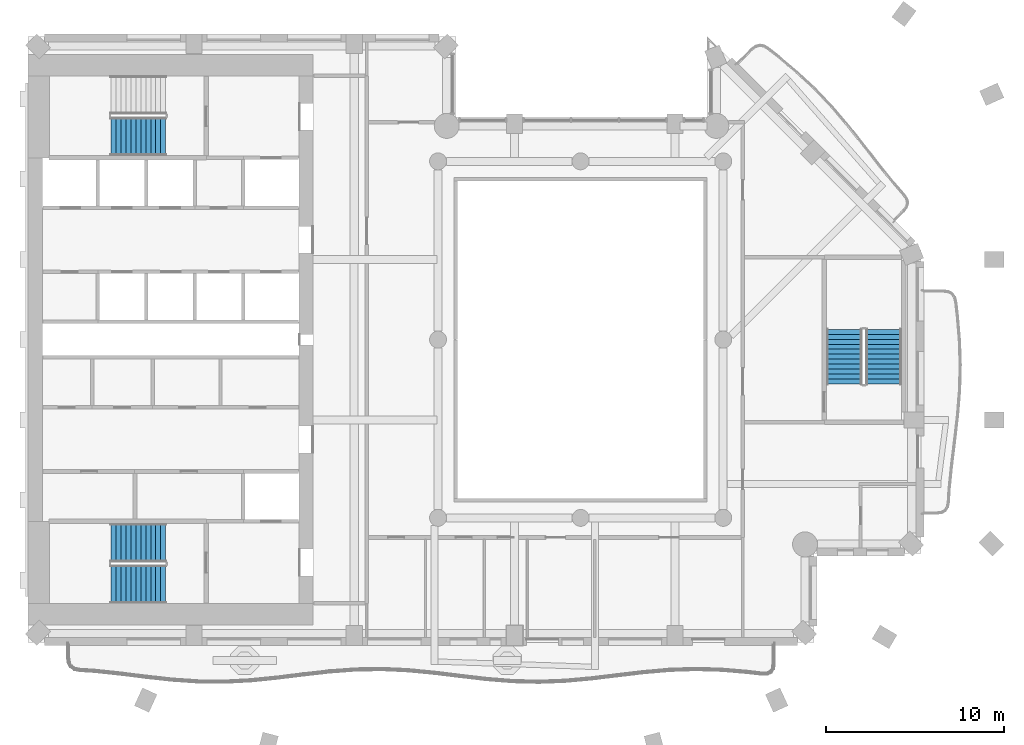
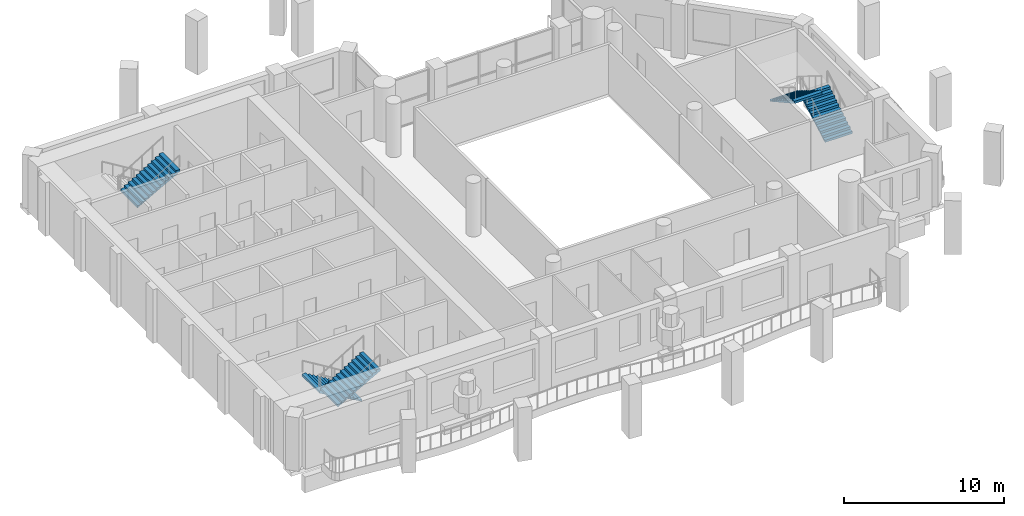
# One storey, part 7 of 14: 5 stair flights, 3 elements without a shape of their own.
"""IFC4 building model written with IfcOpenShell, lengths in metres."""

import ifcopenshell
import ifcopenshell.guid

model = None  # the IFC model being written
_history = None  # IfcOwnerHistory: only IFC2X3 demands one
_inside = {}  # id of a spatial element -> (the spatial element, [elements in it])
_under = {}  # id of a project, library or spatial element -> (it, [spatial elements below it])
_declared = {}  # id of a project -> (the project, [libraries it declares])
_typed = {}  # id of a type object -> (the type object, [elements of that type])
_made_of = {}  # id of a material, layer set ... -> (it, [elements and type objects made of it])


def new_model(schema):
    """Start an empty IFC model of exactly this schema.

    Asked for "IFC4X3", IfcOpenShell would pick the latest addendum, in which some entities
    have other attributes; the version numbers below select the first issue.
    IFC2X3 requires an IfcOwnerHistory on every rooted entity: one is made here for all.
    """
    global model, _history
    if schema == "IFC4X3":
        model = ifcopenshell.file(schema_version=(4, 3, 0, 0))
    else:
        model = ifcopenshell.file(schema=schema)
    _inside.clear()
    _under.clear()
    _declared.clear()
    _typed.clear()
    _made_of.clear()
    _history = None
    if model.schema == "IFC2X3":
        org = make("IfcOrganization", Name="unknown")
        user = make(
            "IfcPersonAndOrganization",
            ThePerson=make("IfcPerson", FamilyName="unknown"),
            TheOrganization=org,
        )
        app = make(
            "IfcApplication",
            ApplicationDeveloper=org,
            Version="unknown",
            ApplicationFullName="unknown",
            ApplicationIdentifier="unknown",
        )
        _history = make(
            "IfcOwnerHistory",
            OwningUser=user,
            OwningApplication=app,
            ChangeAction="ADDED",
            CreationDate=0,
        )
    return model


def make(cls, **values):
    """One entity of the class cls with the attributes given. An attribute that is None is left unset."""
    return model.create_entity(
        cls, **{name: value for name, value in values.items() if value is not None}
    )


def rooted(cls, **values):
    """An entity with a GlobalId (a new one), such as an element, a storey or a relation."""
    return make(cls, GlobalId=ifcopenshell.guid.new(), OwnerHistory=_history, **values)


def si_unit(unit_type, name, prefix=None):
    """IfcSIUnit, for example si_unit("LENGTHUNIT", "METRE", prefix="MILLI")."""
    return make("IfcSIUnit", UnitType=unit_type, Prefix=prefix, Name=name)


def assignment(units):
    """IfcUnitAssignment: the units of a project."""
    return None if units is None else make("IfcUnitAssignment", Units=units)


def point(xyz):
    """IfcCartesianPoint."""
    return None if xyz is None else make("IfcCartesianPoint", Coordinates=xyz)


def direction(xyz):
    """IfcDirection."""
    return None if xyz is None else make("IfcDirection", DirectionRatios=xyz)


def frame(location, z_axis=None, x_axis=None):
    """IfcAxis2Placement3D, a coordinate frame: its origin and axes. An axis left out is left unset."""
    return make(
        "IfcAxis2Placement3D",
        Location=point(location),
        Axis=direction(z_axis),
        RefDirection=direction(x_axis),
    )


def origin():
    """The frame at (0, 0, 0) with its axes left unset."""
    return frame((0.0, 0.0, 0.0))


def place(relative_to, where):
    """IfcLocalPlacement: puts the frame where relative to a parent placement (None: the world)."""
    return make(
        "IfcLocalPlacement", PlacementRelTo=relative_to, RelativePlacement=where
    )


def context(
    kind, dimensions, precision=None, world=None, true_north=None, identifier=None
):
    """IfcGeometricRepresentationContext, for example the 3D "Model" context."""
    return make(
        "IfcGeometricRepresentationContext",
        ContextIdentifier=identifier,
        ContextType=kind,
        CoordinateSpaceDimension=dimensions,
        Precision=precision,
        WorldCoordinateSystem=world,
        TrueNorth=true_north,
    )


def subcontext(parent, identifier, kind, view, scale=None):
    """IfcGeometricRepresentationSubContext, for example "Body" below "Model"."""
    return make(
        "IfcGeometricRepresentationSubContext",
        ContextIdentifier=identifier,
        ContextType=kind,
        ParentContext=parent,
        TargetScale=scale,
        TargetView=view,
    )


def project(units=None, contexts=None):
    """IfcProject with its units and contexts."""
    return rooted(
        "IfcProject",
        Name="project",
        RepresentationContexts=contexts,
        UnitsInContext=assignment(units),
    )


def spatial(cls, under=None, at=None, **own):
    """A site, building, storey or space (cls), placed at a placement, below another one or the project."""
    s = rooted(cls, ObjectPlacement=at, **own)
    if under is not None:
        _under.setdefault(under.id(), (under, []))[1].append(s)
    return s


def point_list(points):
    """IfcCartesianPointList2D or 3D."""
    cls = (
        "IfcCartesianPointList2D" if len(points[0]) == 2 else "IfcCartesianPointList3D"
    )
    return make(cls, CoordList=points)


def triangles(points, corners, closed=None, point_numbers=None):
    """IfcTriangulatedFaceSet: each triangle names its three corners, points numbered from 1."""
    return make(
        "IfcTriangulatedFaceSet",
        Coordinates=point_list(points),
        Closed=closed,
        CoordIndex=corners,
        PnIndex=point_numbers,
    )


def shape(context_of_items, identifier, shape_type, items):
    """IfcShapeRepresentation: the items that make up one representation, for example the "Body"."""
    return make(
        "IfcShapeRepresentation",
        ContextOfItems=context_of_items,
        RepresentationIdentifier=identifier,
        RepresentationType=shape_type,
        Items=items,
    )


def material(Name=None, Category=None):
    """IfcMaterial."""
    return make("IfcMaterial", Name=Name, Category=Category)


def made_of(thing, what):
    """Note that an element or type object is made of a material, layer set ...; save() writes the relation."""
    if what is not None:
        _made_of.setdefault(what.id(), (what, []))[1].append(thing)
    return thing


def type_object(cls, material=None, **own):
    """A type object (cls), such as IfcWallType, which elements share."""
    return made_of(rooted(cls, **own), material)


def element(
    cls,
    number,
    at=None,
    inside=None,
    cuts=None,
    type_object=None,
    material=None,
    context=None,
    identifier="Body",
    shape_type=None,
    held_by="IfcProductDefinitionShape",
    body=None,
    shapes=None,
    **own,
):
    """One element of the class cls, such as IfcWall. Its Tag is "e" and its number.

    at: its placement. inside: the storey or other place that contains it. cuts: it is an
    opening in that element (IfcRelVoidsElement). A single representation is given by context,
    identifier, shape_type and body (its items); several are given by shapes. held_by: the class
    of the entity that holds the representations. save() writes the other relations.
    """
    e = rooted(cls, Tag="e%d" % number, ObjectPlacement=at, **own)
    if body is not None:
        shapes = [shape(context, identifier, shape_type, body)]
    if shapes is not None:
        e.Representation = make(held_by, Representations=shapes)
    if inside is not None:
        _inside.setdefault(inside.id(), (inside, []))[1].append(e)
    if cuts is not None:
        rooted(
            "IfcRelVoidsElement", RelatingBuildingElement=cuts, RelatedOpeningElement=e
        )
    if type_object is not None:
        _typed.setdefault(type_object.id(), (type_object, []))[1].append(e)
    return made_of(e, material)


def aggregate(whole, parts):
    """IfcRelAggregates: a whole, such as a stair, and the parts it consists of."""
    return rooted("IfcRelAggregates", RelatingObject=whole, RelatedObjects=parts)


def save(model, path):
    """Write the relations noted so far, then the file.

    IfcRelAggregates (storeys below a building ...), IfcRelContainedInSpatialStructure (elements
    in a storey), IfcRelDefinesByType, IfcRelAssociatesMaterial and IfcRelDeclares: one each for
    every whole, place, type object, material and project.
    """
    for whole, parts in _under.values():
        aggregate(whole, parts)
    for where, things in _inside.values():
        rooted(
            "IfcRelContainedInSpatialStructure",
            RelatedElements=things,
            RelatingStructure=where,
        )
    for kind, things in _typed.values():
        rooted("IfcRelDefinesByType", RelatedObjects=things, RelatingType=kind)
    for what, things in _made_of.values():
        rooted("IfcRelAssociatesMaterial", RelatedObjects=things, RelatingMaterial=what)
    for by, libraries in _declared.values():
        rooted("IfcRelDeclares", RelatingContext=by, RelatedDefinitions=libraries)
    model.write(path)


model = new_model("IFC4")

# Units and contexts
model_context = context("Model", 3, precision=1e-05, world=origin(), true_north=direction((0.0, 1.0)))
body_context = subcontext(model_context, "Body", "Model", "MODEL_VIEW")
ifc_project = project(units=[si_unit("LENGTHUNIT", "METRE"), si_unit("AREAUNIT", "SQUARE_METRE"), si_unit("VOLUMEUNIT", "CUBIC_METRE"), si_unit("PLANEANGLEUNIT", "RADIAN"), si_unit("MASSUNIT", "GRAM", prefix="KILO")], contexts=[model_context])

# Site, building, storey
site_placement = place(None, origin())
site = spatial("IfcSite", under=ifc_project, at=site_placement, CompositionType="ELEMENT")
building_placement = place(site_placement, origin())
building = spatial("IfcBuilding", under=site, at=building_placement, Name="Cypress Arch Tower", CompositionType="ELEMENT")
storey_placement = place(building_placement, frame((0.0, 0.0, 185.10009765625)))
storey = spatial("IfcBuildingStorey", under=building, at=storey_placement, Name="L40", CompositionType="ELEMENT", Elevation=185.10009765625)

# Stair, stair flights
ifc_material_1 = material(Name="Concrete C40/50", Category="concrete")
stair_type_1 = type_object("IfcStairType", Name="Exit stair ES1708-200", PredefinedType="HALF_TURN_STAIR", material=ifc_material_1)
stair_1_placement = place(storey_placement, origin())
stair_1 = element("IfcStair", 1, at=stair_1_placement, inside=storey, type_object=stair_type_1, Name="L40 Exit stair C", PredefinedType="HALF_TURN_STAIR")
ifc_material_2 = material(Name="Concrete C40/50", Category="concrete")
stair_flight_type_1 = type_object("IfcStairFlightType", Name="Exit stair flight ES1708-200", PredefinedType="STRAIGHT", material=ifc_material_2)
stair_flight_1_placement = place(storey_placement, frame((18.0, -2.5, 0.0), z_axis=(0.0, 0.0, 1.0), x_axis=(0.0, 1.0, 0.0)))
stair_flight_1 = element("IfcStairFlight", 2, at=stair_flight_1_placement, type_object=stair_flight_type_1, Name="C flight 1", NumberOfRisers=12, NumberOfTreads=11, PredefinedType="STRAIGHT", RiserHeight=0.170833333, TreadLength=0.28, context=body_context, shape_type="Tessellation", body=[
    triangles([(0.0, -1.0, 0.0), (0.0, -1.0, 0.1708984375), (0.280029296875, -1.0, 0.1708984375), (0.280029296875, -1.0, 0.341552734375), (0.56005859375, -1.0, 0.341552734375), (0.56005859375, -1.0, 0.512451171875), (0.840087890625, -1.0, 0.512451171875), (0.840087890625, -1.0, 0.683349609375), (1.1201171875, -1.0, 0.683349609375), (1.1201171875, -1.0, 0.854248046875), (1.39990234375, -1.0, 0.854248046875), (1.39990234375, -1.0, 1.02490234375), (1.679931640625, -1.0, 1.02490234375), (1.679931640625, -1.0, 1.19580078125), (1.9599609375, -1.0, 1.19580078125), (1.9599609375, -1.0, 1.36669921875), (2.239990234375, -1.0, 1.36669921875), (2.239990234375, -1.0, 1.53759765625), (2.52001953125, -1.0, 1.53759765625), (2.52001953125, -1.0, 1.708251953125), (2.800048828125, -1.0, 1.708251953125), (2.800048828125, -1.0, 1.879150390625), (3.080078125, -1.0, 1.879150390625), (3.080078125, -1.0, 1.70361328125), (3.080078125, 1.0, 1.70361328125), (3.080078125, 1.0, 1.879150390625), (2.800048828125, 1.0, 1.879150390625), (2.800048828125, 1.0, 1.708251953125), (2.52001953125, 1.0, 1.708251953125), (2.52001953125, 1.0, 1.53759765625), (2.239990234375, 1.0, 1.53759765625), (2.239990234375, 1.0, 1.36669921875), (1.9599609375, 1.0, 1.36669921875), (1.9599609375, 1.0, 1.19580078125), (1.679931640625, 1.0, 1.19580078125), (1.679931640625, 1.0, 1.02490234375), (1.39990234375, 1.0, 1.02490234375), (1.39990234375, 1.0, 0.854248046875), (1.1201171875, 1.0, 0.854248046875), (1.1201171875, 1.0, 0.683349609375), (0.840087890625, 1.0, 0.683349609375), (0.840087890625, 1.0, 0.512451171875), (0.56005859375, 1.0, 0.512451171875), (0.56005859375, 1.0, 0.341552734375), (0.280029296875, 1.0, 0.341552734375), (0.280029296875, 1.0, 0.1708984375), (0.0, 1.0, 0.1708984375), (0.0, 1.0, 0.0), (3.080078125, 0.0, 1.879150390625), (3.080078125, 0.0, 1.70361328125), (2.800048828125, 0.0, 1.879150390625), (2.800048828125, 0.0, 1.708251953125), (2.52001953125, 0.0, 1.708251953125), (2.52001953125, 0.0, 1.53759765625), (2.239990234375, 0.0, 1.53759765625), (2.239990234375, 0.0, 1.36669921875), (1.9599609375, 0.0, 1.36669921875), (1.9599609375, 0.0, 1.19580078125), (1.679931640625, 0.0, 1.19580078125), (1.679931640625, 0.0, 1.02490234375), (1.39990234375, 0.0, 1.02490234375), (1.39990234375, 0.0, 0.854248046875), (1.1201171875, 0.0, 0.854248046875), (1.1201171875, 0.0, 0.683349609375), (0.840087890625, 0.0, 0.683349609375), (0.840087890625, 0.0, 0.512451171875), (0.56005859375, 0.0, 0.512451171875), (0.56005859375, 0.0, 0.341552734375), (0.280029296875, 0.0, 0.341552734375), (0.280029296875, 0.0, 0.1708984375), (0.0, 0.0, 0.1708984375), (0.0, 0.0, 0.0)], [[24, 23, 22], [11, 10, 9], [19, 18, 17], [17, 16, 15], [15, 14, 13], [9, 8, 7], [7, 6, 5], [3, 2, 1], [21, 20, 19], [13, 12, 11], [5, 4, 3], [24, 22, 21], [24, 21, 19], [24, 19, 17], [24, 17, 15], [24, 15, 13], [24, 13, 11], [24, 11, 9], [24, 9, 7], [24, 7, 5], [1, 24, 5], [5, 3, 1], [25, 27, 26], [38, 40, 39], [30, 32, 31], [32, 34, 33], [34, 36, 35], [40, 42, 41], [42, 44, 43], [46, 48, 47], [28, 30, 29], [36, 38, 37], [44, 46, 45], [25, 28, 27], [25, 30, 28], [25, 32, 30], [25, 34, 32], [25, 36, 34], [25, 38, 36], [25, 40, 38], [25, 42, 40], [25, 44, 42], [48, 44, 25], [44, 48, 46], [50, 49, 23], [50, 23, 24], [25, 26, 49], [25, 49, 50], [49, 51, 22], [49, 22, 23], [26, 27, 51], [26, 51, 49], [51, 52, 21], [51, 21, 22], [27, 28, 52], [27, 52, 51], [52, 53, 20], [52, 20, 21], [28, 29, 53], [28, 53, 52], [53, 54, 19], [53, 19, 20], [29, 30, 54], [29, 54, 53], [54, 55, 18], [54, 18, 19], [30, 31, 55], [30, 55, 54], [55, 56, 17], [55, 17, 18], [31, 32, 56], [31, 56, 55], [56, 57, 16], [56, 16, 17], [32, 33, 57], [32, 57, 56], [57, 58, 15], [57, 15, 16], [33, 34, 58], [33, 58, 57], [58, 59, 14], [58, 14, 15], [34, 35, 59], [34, 59, 58], [59, 60, 13], [59, 13, 14], [35, 36, 60], [35, 60, 59], [60, 61, 12], [60, 12, 13], [36, 37, 61], [36, 61, 60], [61, 62, 11], [61, 11, 12], [37, 38, 62], [37, 62, 61], [62, 63, 10], [62, 10, 11], [38, 39, 63], [38, 63, 62], [63, 64, 9], [63, 9, 10], [39, 40, 64], [39, 64, 63], [64, 65, 8], [64, 8, 9], [40, 41, 65], [40, 65, 64], [65, 66, 7], [65, 7, 8], [41, 42, 66], [41, 66, 65], [66, 67, 6], [66, 6, 7], [42, 43, 67], [42, 67, 66], [67, 68, 5], [67, 5, 6], [43, 44, 68], [43, 68, 67], [68, 69, 4], [68, 4, 5], [44, 45, 69], [44, 69, 68], [69, 70, 3], [69, 3, 4], [45, 46, 70], [45, 70, 69], [70, 71, 2], [70, 2, 3], [46, 47, 71], [46, 71, 70], [71, 72, 1], [71, 1, 2], [47, 48, 72], [47, 72, 71], [72, 50, 24], [72, 24, 1], [48, 25, 50], [48, 50, 72]], closed=True),
])
stair_flight_2_placement = place(storey_placement, frame((15.800048828125, 0.580078125, 2.0498046875), z_axis=(0.0, 0.0, 1.0), x_axis=(0.0, -1.0, 0.0)))
stair_flight_2 = element("IfcStairFlight", 3, at=stair_flight_2_placement, type_object=stair_flight_type_1, Name="C flight 2", NumberOfRisers=12, NumberOfTreads=11, PredefinedType="STRAIGHT", RiserHeight=0.170833333, TreadLength=0.28, context=body_context, shape_type="Tessellation", body=[
    triangles([(0.0, -1.0, 0.0), (0.0, -1.0, 0.1708984375), (0.280029296875, -1.0, 0.1708984375), (0.280029296875, -1.0, 0.341552734375), (0.56005859375, -1.0, 0.341552734375), (0.56005859375, -1.0, 0.512451171875), (0.840087890625, -1.0, 0.512451171875), (0.840087890625, -1.0, 0.683349609375), (1.1201171875, -1.0, 0.683349609375), (1.1201171875, -1.0, 0.854248046875), (1.39990234375, -1.0, 0.854248046875), (1.39990234375, -1.0, 1.02490234375), (1.679931640625, -1.0, 1.02490234375), (1.679931640625, -1.0, 1.19580078125), (1.9599609375, -1.0, 1.19580078125), (1.9599609375, -1.0, 1.36669921875), (2.239990234375, -1.0, 1.36669921875), (2.239990234375, -1.0, 1.53759765625), (2.52001953125, -1.0, 1.53759765625), (2.52001953125, -1.0, 1.708251953125), (2.800048828125, -1.0, 1.708251953125), (2.800048828125, -1.0, 1.879150390625), (3.080078125, -1.0, 1.879150390625), (3.080078125, -1.0, 1.70361328125), (3.080078125, 1.0, 1.70361328125), (3.080078125, 1.0, 1.879150390625), (2.800048828125, 1.0, 1.879150390625), (2.800048828125, 1.0, 1.708251953125), (2.52001953125, 1.0, 1.708251953125), (2.52001953125, 1.0, 1.53759765625), (2.239990234375, 1.0, 1.53759765625), (2.239990234375, 1.0, 1.36669921875), (1.9599609375, 1.0, 1.36669921875), (1.9599609375, 1.0, 1.19580078125), (1.679931640625, 1.0, 1.19580078125), (1.679931640625, 1.0, 1.02490234375), (1.39990234375, 1.0, 1.02490234375), (1.39990234375, 1.0, 0.854248046875), (1.1201171875, 1.0, 0.854248046875), (1.1201171875, 1.0, 0.683349609375), (0.840087890625, 1.0, 0.683349609375), (0.840087890625, 1.0, 0.512451171875), (0.56005859375, 1.0, 0.512451171875), (0.56005859375, 1.0, 0.341552734375), (0.280029296875, 1.0, 0.341552734375), (0.280029296875, 1.0, 0.1708984375), (0.0, 1.0, 0.1708984375), (0.0, 1.0, 0.0), (3.080078125, 0.0, 1.879150390625), (3.080078125, 0.0, 1.70361328125), (2.800048828125, 0.0, 1.879150390625), (2.800048828125, 0.0, 1.708251953125), (2.52001953125, 0.0, 1.708251953125), (2.52001953125, 0.0, 1.53759765625), (2.239990234375, 0.0, 1.53759765625), (2.239990234375, 0.0, 1.36669921875), (1.9599609375, 0.0, 1.36669921875), (1.9599609375, 0.0, 1.19580078125), (1.679931640625, 0.0, 1.19580078125), (1.679931640625, 0.0, 1.02490234375), (1.39990234375, 0.0, 1.02490234375), (1.39990234375, 0.0, 0.854248046875), (1.1201171875, 0.0, 0.854248046875), (1.1201171875, 0.0, 0.683349609375), (0.840087890625, 0.0, 0.683349609375), (0.840087890625, 0.0, 0.512451171875), (0.56005859375, 0.0, 0.512451171875), (0.56005859375, 0.0, 0.341552734375), (0.280029296875, 0.0, 0.341552734375), (0.280029296875, 0.0, 0.1708984375), (0.0, 0.0, 0.1708984375), (0.0, 0.0, 0.0)], [[24, 23, 22], [11, 10, 9], [19, 18, 17], [17, 16, 15], [15, 14, 13], [9, 8, 7], [7, 6, 5], [3, 2, 1], [21, 20, 19], [13, 12, 11], [5, 4, 3], [24, 22, 21], [24, 21, 19], [24, 19, 17], [24, 17, 15], [24, 15, 13], [24, 13, 11], [24, 11, 9], [24, 9, 7], [24, 7, 5], [1, 24, 5], [5, 3, 1], [25, 27, 26], [38, 40, 39], [30, 32, 31], [32, 34, 33], [34, 36, 35], [40, 42, 41], [42, 44, 43], [46, 48, 47], [28, 30, 29], [36, 38, 37], [44, 46, 45], [25, 28, 27], [25, 30, 28], [25, 32, 30], [25, 34, 32], [25, 36, 34], [25, 38, 36], [25, 40, 38], [25, 42, 40], [25, 44, 42], [48, 44, 25], [44, 48, 46], [50, 49, 23], [50, 23, 24], [25, 26, 49], [25, 49, 50], [49, 51, 22], [49, 22, 23], [26, 27, 51], [26, 51, 49], [51, 52, 21], [51, 21, 22], [27, 28, 52], [27, 52, 51], [52, 53, 20], [52, 20, 21], [28, 29, 53], [28, 53, 52], [53, 54, 19], [53, 19, 20], [29, 30, 54], [29, 54, 53], [54, 55, 18], [54, 18, 19], [30, 31, 55], [30, 55, 54], [55, 56, 17], [55, 17, 18], [31, 32, 56], [31, 56, 55], [56, 57, 16], [56, 16, 17], [32, 33, 57], [32, 57, 56], [57, 58, 15], [57, 15, 16], [33, 34, 58], [33, 58, 57], [58, 59, 14], [58, 14, 15], [34, 35, 59], [34, 59, 58], [59, 60, 13], [59, 13, 14], [35, 36, 60], [35, 60, 59], [60, 61, 12], [60, 12, 13], [36, 37, 61], [36, 61, 60], [61, 62, 11], [61, 11, 12], [37, 38, 62], [37, 62, 61], [62, 63, 10], [62, 10, 11], [38, 39, 63], [38, 63, 62], [63, 64, 9], [63, 9, 10], [39, 40, 64], [39, 64, 63], [64, 65, 8], [64, 8, 9], [40, 41, 65], [40, 65, 64], [65, 66, 7], [65, 7, 8], [41, 42, 66], [41, 66, 65], [66, 67, 6], [66, 6, 7], [42, 43, 67], [42, 67, 66], [67, 68, 5], [67, 5, 6], [43, 44, 68], [43, 68, 67], [68, 69, 4], [68, 4, 5], [44, 45, 69], [44, 69, 68], [69, 70, 3], [69, 3, 4], [45, 46, 70], [45, 70, 69], [70, 71, 2], [70, 2, 3], [46, 47, 71], [46, 71, 70], [71, 72, 1], [71, 1, 2], [47, 48, 72], [47, 72, 71], [72, 50, 24], [72, 24, 1], [48, 25, 50], [48, 50, 72]], closed=True),
])
aggregate(stair_1, [stair_flight_1, stair_flight_2])

ifc_material_3 = material(Name="Concrete C40/50", Category="concrete")
stair_type_2 = type_object("IfcStairType", Name="Exit stair ES1708-215", PredefinedType="HALF_TURN_STAIR", material=ifc_material_3)
stair_2_placement = place(storey_placement, origin())
stair_2 = element("IfcStair", 4, at=stair_2_placement, inside=storey, type_object=stair_type_2, Name="L40 Exit stair A", PredefinedType="HALF_TURN_STAIR")
ifc_material_4 = material(Name="Concrete C40/50", Category="concrete")
stair_flight_type_2 = type_object("IfcStairFlightType", Name="Exit stair flight ES1708-215", PredefinedType="STRAIGHT", material=ifc_material_4)
stair_flight_3_placement = place(storey_placement, frame((-22.27490234375, -11.39990234375, 0.0), z_axis=(0.0, 0.0, 1.0), x_axis=(-1.0, 0.0, 0.0)))
stair_flight_3 = element("IfcStairFlight", 5, at=stair_flight_3_placement, type_object=stair_flight_type_2, Name="A flight 1", NumberOfRisers=12, NumberOfTreads=11, PredefinedType="STRAIGHT", RiserHeight=0.170833333, TreadLength=0.28, context=body_context, shape_type="Tessellation", body=[
    triangles([(0.0, -1.074951171875, 0.0), (0.000244140625, -1.074951171875, 0.01904296875), (0.000244140625, -1.074951171875, 0.0380859375), (0.00048828125, -1.074951171875, 0.056884765625), (0.00048828125, -1.074951171875, 0.075927734375), (0.00048828125, -1.074951171875, 0.094970703125), (0.00048828125, -1.074951171875, 0.114013671875), (0.000244140625, -1.074951171875, 0.1328125), (0.000244140625, -1.074951171875, 0.15185546875), (0.0, -1.074951171875, 0.1708984375), (0.280029296875, -1.074951171875, 0.1708984375), (0.280029296875, -1.074951171875, 0.341552734375), (0.56005859375, -1.074951171875, 0.341552734375), (0.56005859375, -1.074951171875, 0.512451171875), (0.840087890625, -1.074951171875, 0.512451171875), (0.840087890625, -1.074951171875, 0.683349609375), (1.1201171875, -1.074951171875, 0.683349609375), (1.1201171875, -1.074951171875, 0.854248046875), (1.39990234375, -1.074951171875, 0.854248046875), (1.39990234375, -1.074951171875, 1.02490234375), (1.679931640625, -1.074951171875, 1.02490234375), (1.679931640625, -1.074951171875, 1.19580078125), (1.9599609375, -1.074951171875, 1.19580078125), (1.9599609375, -1.074951171875, 1.36669921875), (2.239990234375, -1.074951171875, 1.36669921875), (2.239990234375, -1.074951171875, 1.53759765625), (2.52001953125, -1.074951171875, 1.53759765625), (2.52001953125, -1.074951171875, 1.708251953125), (2.800048828125, -1.074951171875, 1.708251953125), (2.800048828125, -1.074951171875, 1.879150390625), (3.080078125, -1.074951171875, 1.879150390625), (3.079833984375, -1.074951171875, 1.859619140625), (3.079833984375, -1.074951171875, 1.840087890625), (3.07958984375, -1.074951171875, 1.820556640625), (3.07958984375, -1.074951171875, 1.801025390625), (3.07958984375, -1.074951171875, 1.78173828125), (3.07958984375, -1.074951171875, 1.76220703125), (3.079833984375, -1.074951171875, 1.74267578125), (3.079833984375, -1.074951171875, 1.72314453125), (3.080078125, -1.074951171875, 1.70361328125), (3.080078125, 1.074951171875, 1.70361328125), (3.079833984375, 1.074951171875, 1.72314453125), (3.079833984375, 1.074951171875, 1.74267578125), (3.07958984375, 1.074951171875, 1.76220703125), (3.07958984375, 1.074951171875, 1.78173828125), (3.07958984375, 1.074951171875, 1.801025390625), (3.07958984375, 1.074951171875, 1.820556640625), (3.079833984375, 1.074951171875, 1.840087890625), (3.079833984375, 1.074951171875, 1.859619140625), (3.080078125, 1.074951171875, 1.879150390625), (2.800048828125, 1.074951171875, 1.879150390625), (2.800048828125, 1.074951171875, 1.708251953125), (2.52001953125, 1.074951171875, 1.708251953125), (2.52001953125, 1.074951171875, 1.53759765625), (2.239990234375, 1.074951171875, 1.53759765625), (2.239990234375, 1.074951171875, 1.36669921875), (1.9599609375, 1.074951171875, 1.36669921875), (1.9599609375, 1.074951171875, 1.19580078125), (1.679931640625, 1.074951171875, 1.19580078125), (1.679931640625, 1.074951171875, 1.02490234375), (1.39990234375, 1.074951171875, 1.02490234375), (1.39990234375, 1.074951171875, 0.854248046875), (1.1201171875, 1.074951171875, 0.854248046875), (1.1201171875, 1.074951171875, 0.683349609375), (0.840087890625, 1.074951171875, 0.683349609375), (0.840087890625, 1.074951171875, 0.512451171875), (0.56005859375, 1.074951171875, 0.512451171875), (0.56005859375, 1.074951171875, 0.341552734375), (0.280029296875, 1.074951171875, 0.341552734375), (0.280029296875, 1.074951171875, 0.1708984375), (0.0, 1.074951171875, 0.1708984375), (0.000244140625, 1.074951171875, 0.15185546875), (0.000244140625, 1.074951171875, 0.1328125), (0.00048828125, 1.074951171875, 0.114013671875), (0.00048828125, 1.074951171875, 0.094970703125), (0.00048828125, 1.074951171875, 0.075927734375), (0.00048828125, 1.074951171875, 0.056884765625), (0.000244140625, 1.074951171875, 0.0380859375), (0.000244140625, 1.074951171875, 0.01904296875), (0.0, 1.074951171875, 0.0)], [[40, 39, 30], [39, 38, 30], [38, 37, 30], [37, 36, 30], [36, 35, 30], [35, 34, 30], [34, 33, 30], [33, 32, 30], [32, 31, 30], [19, 18, 17], [27, 26, 25], [25, 24, 23], [23, 22, 21], [17, 16, 15], [15, 14, 13], [10, 9, 11], [9, 8, 11], [8, 7, 11], [7, 6, 11], [6, 5, 11], [5, 4, 11], [4, 3, 11], [3, 2, 11], [2, 1, 11], [29, 28, 27], [21, 20, 19], [13, 12, 11], [40, 30, 29], [40, 29, 27], [40, 27, 25], [40, 25, 23], [40, 23, 21], [40, 21, 19], [40, 19, 17], [40, 17, 15], [40, 15, 13], [1, 40, 13], [13, 11, 1], [41, 51, 42], [42, 51, 43], [43, 51, 44], [44, 51, 45], [45, 51, 46], [46, 51, 47], [47, 51, 48], [48, 51, 49], [49, 51, 50], [62, 64, 63], [54, 56, 55], [56, 58, 57], [58, 60, 59], [64, 66, 65], [66, 68, 67], [71, 70, 72], [72, 70, 73], [73, 70, 74], [74, 70, 75], [75, 70, 76], [76, 70, 77], [77, 70, 78], [78, 70, 79], [79, 70, 80], [52, 54, 53], [60, 62, 61], [68, 70, 69], [41, 52, 51], [41, 54, 52], [41, 56, 54], [41, 58, 56], [41, 60, 58], [41, 62, 60], [41, 64, 62], [41, 66, 64], [41, 68, 66], [80, 68, 41], [68, 80, 70], [41, 42, 39], [41, 39, 40], [42, 43, 38], [42, 38, 39], [43, 44, 37], [43, 37, 38], [44, 45, 36], [44, 36, 37], [45, 46, 35], [45, 35, 36], [46, 47, 34], [46, 34, 35], [47, 48, 33], [47, 33, 34], [48, 49, 32], [48, 32, 33], [49, 50, 31], [49, 31, 32], [50, 51, 30], [50, 30, 31], [51, 52, 29], [51, 29, 30], [52, 53, 28], [52, 28, 29], [53, 54, 27], [53, 27, 28], [54, 55, 26], [54, 26, 27], [55, 56, 25], [55, 25, 26], [56, 57, 24], [56, 24, 25], [57, 58, 23], [57, 23, 24], [58, 59, 22], [58, 22, 23], [59, 60, 21], [59, 21, 22], [60, 61, 20], [60, 20, 21], [61, 62, 19], [61, 19, 20], [62, 63, 18], [62, 18, 19], [63, 64, 17], [63, 17, 18], [64, 65, 16], [64, 16, 17], [65, 66, 15], [65, 15, 16], [66, 67, 14], [66, 14, 15], [67, 68, 13], [67, 13, 14], [68, 69, 12], [68, 12, 13], [69, 70, 11], [69, 11, 12], [70, 71, 10], [70, 10, 11], [71, 72, 9], [71, 9, 10], [72, 73, 8], [72, 8, 9], [73, 74, 7], [73, 7, 8], [74, 75, 6], [74, 6, 7], [75, 76, 5], [75, 5, 6], [76, 77, 4], [76, 4, 5], [77, 78, 3], [77, 3, 4], [78, 79, 2], [78, 2, 3], [79, 80, 1], [79, 1, 2], [80, 41, 40], [80, 40, 1]], closed=True),
])
stair_flight_4_placement = place(storey_placement, frame((-25.35498046875, -13.72509765625, 2.0498046875), z_axis=(0.0, 0.0, 1.0), x_axis=(1.0, 0.0, 0.0)))
stair_flight_4 = element("IfcStairFlight", 6, at=stair_flight_4_placement, type_object=stair_flight_type_2, Name="A flight 2", NumberOfRisers=12, NumberOfTreads=11, PredefinedType="STRAIGHT", RiserHeight=0.170833333, TreadLength=0.28, context=body_context, shape_type="Tessellation", body=[
    triangles([(0.0, -1.074951171875, 0.0), (0.000244140625, -1.074951171875, 0.01904296875), (0.000244140625, -1.074951171875, 0.0380859375), (0.00048828125, -1.074951171875, 0.056884765625), (0.00048828125, -1.074951171875, 0.075927734375), (0.00048828125, -1.074951171875, 0.094970703125), (0.00048828125, -1.074951171875, 0.114013671875), (0.000244140625, -1.074951171875, 0.1328125), (0.000244140625, -1.074951171875, 0.15185546875), (0.0, -1.074951171875, 0.1708984375), (0.280029296875, -1.074951171875, 0.1708984375), (0.280029296875, -1.074951171875, 0.341552734375), (0.56005859375, -1.074951171875, 0.341552734375), (0.56005859375, -1.074951171875, 0.512451171875), (0.840087890625, -1.074951171875, 0.512451171875), (0.840087890625, -1.074951171875, 0.683349609375), (1.1201171875, -1.074951171875, 0.683349609375), (1.1201171875, -1.074951171875, 0.854248046875), (1.39990234375, -1.074951171875, 0.854248046875), (1.39990234375, -1.074951171875, 1.02490234375), (1.679931640625, -1.074951171875, 1.02490234375), (1.679931640625, -1.074951171875, 1.19580078125), (1.9599609375, -1.074951171875, 1.19580078125), (1.9599609375, -1.074951171875, 1.36669921875), (2.239990234375, -1.074951171875, 1.36669921875), (2.239990234375, -1.074951171875, 1.53759765625), (2.52001953125, -1.074951171875, 1.53759765625), (2.52001953125, -1.074951171875, 1.708251953125), (2.800048828125, -1.074951171875, 1.708251953125), (2.800048828125, -1.074951171875, 1.879150390625), (3.080078125, -1.074951171875, 1.879150390625), (3.079833984375, -1.074951171875, 1.859619140625), (3.079833984375, -1.074951171875, 1.840087890625), (3.07958984375, -1.074951171875, 1.820556640625), (3.07958984375, -1.074951171875, 1.801025390625), (3.07958984375, -1.074951171875, 1.78173828125), (3.07958984375, -1.074951171875, 1.76220703125), (3.079833984375, -1.074951171875, 1.74267578125), (3.079833984375, -1.074951171875, 1.72314453125), (3.080078125, -1.074951171875, 1.70361328125), (3.080078125, 1.074951171875, 1.70361328125), (3.079833984375, 1.074951171875, 1.72314453125), (3.079833984375, 1.074951171875, 1.74267578125), (3.07958984375, 1.074951171875, 1.76220703125), (3.07958984375, 1.074951171875, 1.78173828125), (3.07958984375, 1.074951171875, 1.801025390625), (3.07958984375, 1.074951171875, 1.820556640625), (3.079833984375, 1.074951171875, 1.840087890625), (3.079833984375, 1.074951171875, 1.859619140625), (3.080078125, 1.074951171875, 1.879150390625), (2.800048828125, 1.074951171875, 1.879150390625), (2.800048828125, 1.074951171875, 1.708251953125), (2.52001953125, 1.074951171875, 1.708251953125), (2.52001953125, 1.074951171875, 1.53759765625), (2.239990234375, 1.074951171875, 1.53759765625), (2.239990234375, 1.074951171875, 1.36669921875), (1.9599609375, 1.074951171875, 1.36669921875), (1.9599609375, 1.074951171875, 1.19580078125), (1.679931640625, 1.074951171875, 1.19580078125), (1.679931640625, 1.074951171875, 1.02490234375), (1.39990234375, 1.074951171875, 1.02490234375), (1.39990234375, 1.074951171875, 0.854248046875), (1.1201171875, 1.074951171875, 0.854248046875), (1.1201171875, 1.074951171875, 0.683349609375), (0.840087890625, 1.074951171875, 0.683349609375), (0.840087890625, 1.074951171875, 0.512451171875), (0.56005859375, 1.074951171875, 0.512451171875), (0.56005859375, 1.074951171875, 0.341552734375), (0.280029296875, 1.074951171875, 0.341552734375), (0.280029296875, 1.074951171875, 0.1708984375), (0.0, 1.074951171875, 0.1708984375), (0.000244140625, 1.074951171875, 0.15185546875), (0.000244140625, 1.074951171875, 0.1328125), (0.00048828125, 1.074951171875, 0.114013671875), (0.00048828125, 1.074951171875, 0.094970703125), (0.00048828125, 1.074951171875, 0.075927734375), (0.00048828125, 1.074951171875, 0.056884765625), (0.000244140625, 1.074951171875, 0.0380859375), (0.000244140625, 1.074951171875, 0.01904296875), (0.0, 1.074951171875, 0.0)], [[40, 39, 30], [39, 38, 30], [38, 37, 30], [37, 36, 30], [36, 35, 30], [35, 34, 30], [34, 33, 30], [33, 32, 30], [32, 31, 30], [19, 18, 17], [27, 26, 25], [25, 24, 23], [23, 22, 21], [17, 16, 15], [15, 14, 13], [10, 9, 11], [9, 8, 11], [8, 7, 11], [7, 6, 11], [6, 5, 11], [5, 4, 11], [4, 3, 11], [3, 2, 11], [2, 1, 11], [29, 28, 27], [21, 20, 19], [13, 12, 11], [40, 30, 29], [40, 29, 27], [40, 27, 25], [40, 25, 23], [40, 23, 21], [40, 21, 19], [40, 19, 17], [40, 17, 15], [40, 15, 13], [1, 40, 13], [13, 11, 1], [41, 51, 42], [42, 51, 43], [43, 51, 44], [44, 51, 45], [45, 51, 46], [46, 51, 47], [47, 51, 48], [48, 51, 49], [49, 51, 50], [62, 64, 63], [54, 56, 55], [56, 58, 57], [58, 60, 59], [64, 66, 65], [66, 68, 67], [71, 70, 72], [72, 70, 73], [73, 70, 74], [74, 70, 75], [75, 70, 76], [76, 70, 77], [77, 70, 78], [78, 70, 79], [79, 70, 80], [52, 54, 53], [60, 62, 61], [68, 70, 69], [41, 52, 51], [41, 54, 52], [41, 56, 54], [41, 58, 56], [41, 60, 58], [41, 62, 60], [41, 64, 62], [41, 66, 64], [41, 68, 66], [80, 68, 41], [68, 80, 70], [41, 42, 39], [41, 39, 40], [42, 43, 38], [42, 38, 39], [43, 44, 37], [43, 37, 38], [44, 45, 36], [44, 36, 37], [45, 46, 35], [45, 35, 36], [46, 47, 34], [46, 34, 35], [47, 48, 33], [47, 33, 34], [48, 49, 32], [48, 32, 33], [49, 50, 31], [49, 31, 32], [50, 51, 30], [50, 30, 31], [51, 52, 29], [51, 29, 30], [52, 53, 28], [52, 28, 29], [53, 54, 27], [53, 27, 28], [54, 55, 26], [54, 26, 27], [55, 56, 25], [55, 25, 26], [56, 57, 24], [56, 24, 25], [57, 58, 23], [57, 23, 24], [58, 59, 22], [58, 22, 23], [59, 60, 21], [59, 21, 22], [60, 61, 20], [60, 20, 21], [61, 62, 19], [61, 19, 20], [62, 63, 18], [62, 18, 19], [63, 64, 17], [63, 17, 18], [64, 65, 16], [64, 16, 17], [65, 66, 15], [65, 15, 16], [66, 67, 14], [66, 14, 15], [67, 68, 13], [67, 13, 14], [68, 69, 12], [68, 12, 13], [69, 70, 11], [69, 11, 12], [70, 71, 10], [70, 10, 11], [71, 72, 9], [71, 9, 10], [72, 73, 8], [72, 8, 9], [73, 74, 7], [73, 7, 8], [74, 75, 6], [74, 6, 7], [75, 76, 5], [75, 5, 6], [76, 77, 4], [76, 4, 5], [77, 78, 3], [77, 3, 4], [78, 79, 2], [78, 2, 3], [79, 80, 1], [79, 1, 2], [80, 41, 40], [80, 40, 1]], closed=True),
])
aggregate(stair_2, [stair_flight_3, stair_flight_4])

# Stair, stair flight
stair_3_placement = place(storey_placement, origin())
stair_3 = element("IfcStair", 7, at=stair_3_placement, inside=storey, type_object=stair_type_2, Name="L40 Exit stair B", PredefinedType="HALF_TURN_STAIR")
stair_flight_5_placement = place(storey_placement, frame((-25.35498046875, 11.39990234375, 2.0498046875), z_axis=(0.0, 0.0, 1.0), x_axis=(1.0, 0.0, 0.0)))
stair_flight_5 = element("IfcStairFlight", 8, at=stair_flight_5_placement, type_object=stair_flight_type_2, Name="B flight 2", NumberOfRisers=12, NumberOfTreads=11, PredefinedType="STRAIGHT", RiserHeight=0.170833333, TreadLength=0.28, context=body_context, shape_type="Tessellation", body=[
    triangles([(0.0, -1.074951171875, 0.0), (0.000244140625, -1.074951171875, 0.01904296875), (0.000244140625, -1.074951171875, 0.0380859375), (0.00048828125, -1.074951171875, 0.056884765625), (0.00048828125, -1.074951171875, 0.075927734375), (0.00048828125, -1.074951171875, 0.094970703125), (0.00048828125, -1.074951171875, 0.114013671875), (0.000244140625, -1.074951171875, 0.1328125), (0.000244140625, -1.074951171875, 0.15185546875), (0.0, -1.074951171875, 0.1708984375), (0.280029296875, -1.074951171875, 0.1708984375), (0.280029296875, -1.074951171875, 0.341552734375), (0.56005859375, -1.074951171875, 0.341552734375), (0.56005859375, -1.074951171875, 0.512451171875), (0.840087890625, -1.074951171875, 0.512451171875), (0.840087890625, -1.074951171875, 0.683349609375), (1.1201171875, -1.074951171875, 0.683349609375), (1.1201171875, -1.074951171875, 0.854248046875), (1.39990234375, -1.074951171875, 0.854248046875), (1.39990234375, -1.074951171875, 1.02490234375), (1.679931640625, -1.074951171875, 1.02490234375), (1.679931640625, -1.074951171875, 1.19580078125), (1.9599609375, -1.074951171875, 1.19580078125), (1.9599609375, -1.074951171875, 1.36669921875), (2.239990234375, -1.074951171875, 1.36669921875), (2.239990234375, -1.074951171875, 1.53759765625), (2.52001953125, -1.074951171875, 1.53759765625), (2.52001953125, -1.074951171875, 1.708251953125), (2.800048828125, -1.074951171875, 1.708251953125), (2.800048828125, -1.074951171875, 1.879150390625), (3.080078125, -1.074951171875, 1.879150390625), (3.079833984375, -1.074951171875, 1.859619140625), (3.079833984375, -1.074951171875, 1.840087890625), (3.07958984375, -1.074951171875, 1.820556640625), (3.07958984375, -1.074951171875, 1.801025390625), (3.07958984375, -1.074951171875, 1.78173828125), (3.07958984375, -1.074951171875, 1.76220703125), (3.079833984375, -1.074951171875, 1.74267578125), (3.079833984375, -1.074951171875, 1.72314453125), (3.080078125, -1.074951171875, 1.70361328125), (3.080078125, 1.074951171875, 1.70361328125), (3.079833984375, 1.074951171875, 1.72314453125), (3.079833984375, 1.074951171875, 1.74267578125), (3.07958984375, 1.074951171875, 1.76220703125), (3.07958984375, 1.074951171875, 1.78173828125), (3.07958984375, 1.074951171875, 1.801025390625), (3.07958984375, 1.074951171875, 1.820556640625), (3.079833984375, 1.074951171875, 1.840087890625), (3.079833984375, 1.074951171875, 1.859619140625), (3.080078125, 1.074951171875, 1.879150390625), (2.800048828125, 1.074951171875, 1.879150390625), (2.800048828125, 1.074951171875, 1.708251953125), (2.52001953125, 1.074951171875, 1.708251953125), (2.52001953125, 1.074951171875, 1.53759765625), (2.239990234375, 1.074951171875, 1.53759765625), (2.239990234375, 1.074951171875, 1.36669921875), (1.9599609375, 1.074951171875, 1.36669921875), (1.9599609375, 1.074951171875, 1.19580078125), (1.679931640625, 1.074951171875, 1.19580078125), (1.679931640625, 1.074951171875, 1.02490234375), (1.39990234375, 1.074951171875, 1.02490234375), (1.39990234375, 1.074951171875, 0.854248046875), (1.1201171875, 1.074951171875, 0.854248046875), (1.1201171875, 1.074951171875, 0.683349609375), (0.840087890625, 1.074951171875, 0.683349609375), (0.840087890625, 1.074951171875, 0.512451171875), (0.56005859375, 1.074951171875, 0.512451171875), (0.56005859375, 1.074951171875, 0.341552734375), (0.280029296875, 1.074951171875, 0.341552734375), (0.280029296875, 1.074951171875, 0.1708984375), (0.0, 1.074951171875, 0.1708984375), (0.000244140625, 1.074951171875, 0.15185546875), (0.000244140625, 1.074951171875, 0.1328125), (0.00048828125, 1.074951171875, 0.114013671875), (0.00048828125, 1.074951171875, 0.094970703125), (0.00048828125, 1.074951171875, 0.075927734375), (0.00048828125, 1.074951171875, 0.056884765625), (0.000244140625, 1.074951171875, 0.0380859375), (0.000244140625, 1.074951171875, 0.01904296875), (0.0, 1.074951171875, 0.0)], [[40, 39, 30], [39, 38, 30], [38, 37, 30], [37, 36, 30], [36, 35, 30], [35, 34, 30], [34, 33, 30], [33, 32, 30], [32, 31, 30], [19, 18, 17], [27, 26, 25], [25, 24, 23], [23, 22, 21], [17, 16, 15], [15, 14, 13], [10, 9, 11], [9, 8, 11], [8, 7, 11], [7, 6, 11], [6, 5, 11], [5, 4, 11], [4, 3, 11], [3, 2, 11], [2, 1, 11], [29, 28, 27], [21, 20, 19], [13, 12, 11], [40, 30, 29], [40, 29, 27], [40, 27, 25], [40, 25, 23], [40, 23, 21], [40, 21, 19], [40, 19, 17], [40, 17, 15], [40, 15, 13], [1, 40, 13], [13, 11, 1], [41, 51, 42], [42, 51, 43], [43, 51, 44], [44, 51, 45], [45, 51, 46], [46, 51, 47], [47, 51, 48], [48, 51, 49], [49, 51, 50], [62, 64, 63], [54, 56, 55], [56, 58, 57], [58, 60, 59], [64, 66, 65], [66, 68, 67], [71, 70, 72], [72, 70, 73], [73, 70, 74], [74, 70, 75], [75, 70, 76], [76, 70, 77], [77, 70, 78], [78, 70, 79], [79, 70, 80], [52, 54, 53], [60, 62, 61], [68, 70, 69], [41, 52, 51], [41, 54, 52], [41, 56, 54], [41, 58, 56], [41, 60, 58], [41, 62, 60], [41, 64, 62], [41, 66, 64], [41, 68, 66], [80, 68, 41], [68, 80, 70], [41, 42, 39], [41, 39, 40], [42, 43, 38], [42, 38, 39], [43, 44, 37], [43, 37, 38], [44, 45, 36], [44, 36, 37], [45, 46, 35], [45, 35, 36], [46, 47, 34], [46, 34, 35], [47, 48, 33], [47, 33, 34], [48, 49, 32], [48, 32, 33], [49, 50, 31], [49, 31, 32], [50, 51, 30], [50, 30, 31], [51, 52, 29], [51, 29, 30], [52, 53, 28], [52, 28, 29], [53, 54, 27], [53, 27, 28], [54, 55, 26], [54, 26, 27], [55, 56, 25], [55, 25, 26], [56, 57, 24], [56, 24, 25], [57, 58, 23], [57, 23, 24], [58, 59, 22], [58, 22, 23], [59, 60, 21], [59, 21, 22], [60, 61, 20], [60, 20, 21], [61, 62, 19], [61, 19, 20], [62, 63, 18], [62, 18, 19], [63, 64, 17], [63, 17, 18], [64, 65, 16], [64, 16, 17], [65, 66, 15], [65, 15, 16], [66, 67, 14], [66, 14, 15], [67, 68, 13], [67, 13, 14], [68, 69, 12], [68, 12, 13], [69, 70, 11], [69, 11, 12], [70, 71, 10], [70, 10, 11], [71, 72, 9], [71, 9, 10], [72, 73, 8], [72, 8, 9], [73, 74, 7], [73, 7, 8], [74, 75, 6], [74, 6, 7], [75, 76, 5], [75, 5, 6], [76, 77, 4], [76, 4, 5], [77, 78, 3], [77, 3, 4], [78, 79, 2], [78, 2, 3], [79, 80, 1], [79, 1, 2], [80, 41, 40], [80, 40, 1]], closed=True),
])
aggregate(stair_3, [stair_flight_5])

save(model, "model.ifc")
